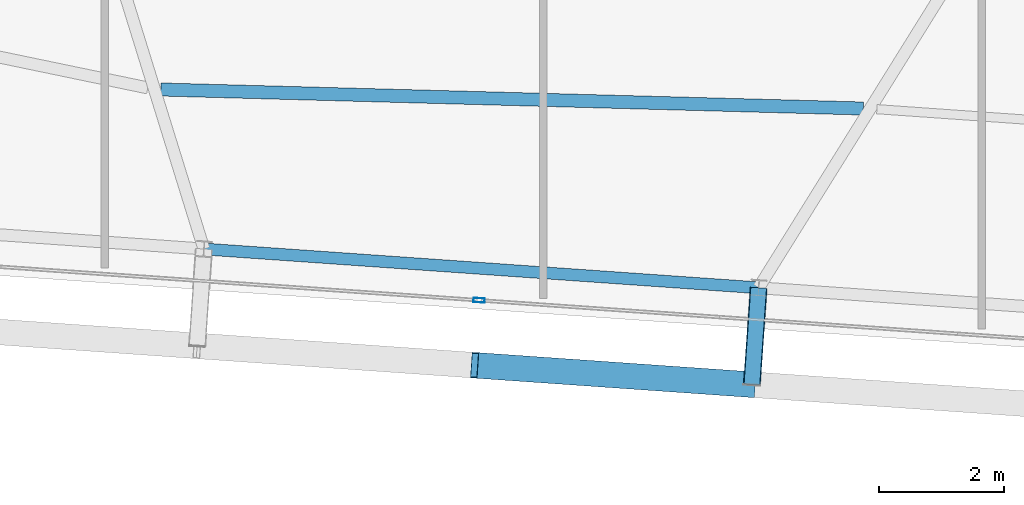
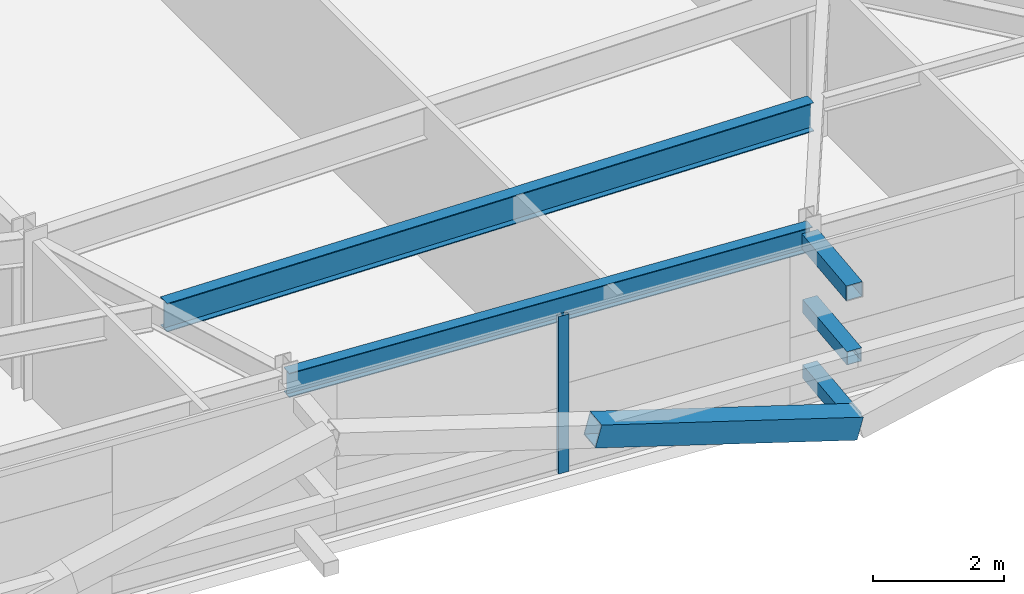
# One storey, part 9 of 39: 5 members, 2 beams, 1 element without a shape of its own.
"""IFC4 building model written with IfcOpenShell, lengths in metres."""

import ifcopenshell
import ifcopenshell.guid

model = None  # the IFC model being written
_history = None  # IfcOwnerHistory: only IFC2X3 demands one
_inside = {}  # id of a spatial element -> (the spatial element, [elements in it])
_under = {}  # id of a project, library or spatial element -> (it, [spatial elements below it])
_declared = {}  # id of a project -> (the project, [libraries it declares])
_typed = {}  # id of a type object -> (the type object, [elements of that type])
_made_of = {}  # id of a material, layer set ... -> (it, [elements and type objects made of it])


def new_model(schema):
    """Start an empty IFC model of exactly this schema.

    Asked for "IFC4X3", IfcOpenShell would pick the latest addendum, in which some entities
    have other attributes; the version numbers below select the first issue.
    IFC2X3 requires an IfcOwnerHistory on every rooted entity: one is made here for all.
    """
    global model, _history
    if schema == "IFC4X3":
        model = ifcopenshell.file(schema_version=(4, 3, 0, 0))
    else:
        model = ifcopenshell.file(schema=schema)
    _inside.clear()
    _under.clear()
    _declared.clear()
    _typed.clear()
    _made_of.clear()
    _history = None
    if model.schema == "IFC2X3":
        org = make("IfcOrganization", Name="unknown")
        user = make(
            "IfcPersonAndOrganization",
            ThePerson=make("IfcPerson", FamilyName="unknown"),
            TheOrganization=org,
        )
        app = make(
            "IfcApplication",
            ApplicationDeveloper=org,
            Version="unknown",
            ApplicationFullName="unknown",
            ApplicationIdentifier="unknown",
        )
        _history = make(
            "IfcOwnerHistory",
            OwningUser=user,
            OwningApplication=app,
            ChangeAction="ADDED",
            CreationDate=0,
        )
    return model


def make(cls, **values):
    """One entity of the class cls with the attributes given. An attribute that is None is left unset."""
    return model.create_entity(
        cls, **{name: value for name, value in values.items() if value is not None}
    )


def rooted(cls, **values):
    """An entity with a GlobalId (a new one), such as an element, a storey or a relation."""
    return make(cls, GlobalId=ifcopenshell.guid.new(), OwnerHistory=_history, **values)


def si_unit(unit_type, name, prefix=None):
    """IfcSIUnit, for example si_unit("LENGTHUNIT", "METRE", prefix="MILLI")."""
    return make("IfcSIUnit", UnitType=unit_type, Prefix=prefix, Name=name)


def assignment(units):
    """IfcUnitAssignment: the units of a project."""
    return None if units is None else make("IfcUnitAssignment", Units=units)


def point(xyz):
    """IfcCartesianPoint."""
    return None if xyz is None else make("IfcCartesianPoint", Coordinates=xyz)


def direction(xyz):
    """IfcDirection."""
    return None if xyz is None else make("IfcDirection", DirectionRatios=xyz)


def frame(location, z_axis=None, x_axis=None):
    """IfcAxis2Placement3D, a coordinate frame: its origin and axes. An axis left out is left unset."""
    return make(
        "IfcAxis2Placement3D",
        Location=point(location),
        Axis=direction(z_axis),
        RefDirection=direction(x_axis),
    )


def frame_2d(location, x_axis=None):
    """IfcAxis2Placement2D, a coordinate frame in the plane: its origin and x axis."""
    return make(
        "IfcAxis2Placement2D", Location=point(location), RefDirection=direction(x_axis)
    )


def origin():
    """The frame at (0, 0, 0) with its axes left unset."""
    return frame((0.0, 0.0, 0.0))


def origin_2d():
    """The frame at (0, 0) in the plane with its x axis left unset."""
    return frame_2d((0.0, 0.0))


def place(relative_to, where):
    """IfcLocalPlacement: puts the frame where relative to a parent placement (None: the world)."""
    return make(
        "IfcLocalPlacement", PlacementRelTo=relative_to, RelativePlacement=where
    )


def context(
    kind, dimensions, precision=None, world=None, true_north=None, identifier=None
):
    """IfcGeometricRepresentationContext, for example the 3D "Model" context."""
    return make(
        "IfcGeometricRepresentationContext",
        ContextIdentifier=identifier,
        ContextType=kind,
        CoordinateSpaceDimension=dimensions,
        Precision=precision,
        WorldCoordinateSystem=world,
        TrueNorth=true_north,
    )


def subcontext(parent, identifier, kind, view, scale=None):
    """IfcGeometricRepresentationSubContext, for example "Body" below "Model"."""
    return make(
        "IfcGeometricRepresentationSubContext",
        ContextIdentifier=identifier,
        ContextType=kind,
        ParentContext=parent,
        TargetScale=scale,
        TargetView=view,
    )


def project(units=None, contexts=None):
    """IfcProject with its units and contexts."""
    return rooted(
        "IfcProject",
        Name="project",
        RepresentationContexts=contexts,
        UnitsInContext=assignment(units),
    )


def spatial(cls, under=None, at=None, **own):
    """A site, building, storey or space (cls), placed at a placement, below another one or the project."""
    s = rooted(cls, ObjectPlacement=at, **own)
    if under is not None:
        _under.setdefault(under.id(), (under, []))[1].append(s)
    return s


def profile(cls, at=None, kind="AREA", **sizes):
    """A parametric profile (cls). Its sizes go by their IFC names, for example OverallWidth=200.0."""
    return make(cls, ProfileType=kind, Position=at, **sizes)


def hollow_rectangle(**sizes):
    """IfcRectangleHollowProfileDef."""
    return profile("IfcRectangleHollowProfileDef", **sizes)


def i_section(**sizes):
    """IfcIShapeProfileDef."""
    return profile("IfcIShapeProfileDef", **sizes)


def extrude(swept, where, along, depth):
    """IfcExtrudedAreaSolid: the profile swept, set in the frame where, extruded along a direction by depth."""
    return make(
        "IfcExtrudedAreaSolid",
        SweptArea=swept,
        Position=where,
        ExtrudedDirection=direction(along),
        Depth=depth,
    )


def shape(context_of_items, identifier, shape_type, items):
    """IfcShapeRepresentation: the items that make up one representation, for example the "Body"."""
    return make(
        "IfcShapeRepresentation",
        ContextOfItems=context_of_items,
        RepresentationIdentifier=identifier,
        RepresentationType=shape_type,
        Items=items,
    )


def source(mapping_origin, context_of_items, identifier, shape_type, items):
    """IfcRepresentationMap: a shape defined once, which mapped items show again and again."""
    return make(
        "IfcRepresentationMap",
        MappingOrigin=mapping_origin,
        MappedRepresentation=shape(context_of_items, identifier, shape_type, items),
    )


def transform(
    local_origin,
    x_axis=None,
    y_axis=None,
    z_axis=None,
    scale=None,
    scale2=None,
    scale3=None,
    uniform=True,
):
    """IfcCartesianTransformationOperator3D, or its non-uniform kind. x_axis, y_axis, z_axis: its Axis1, 2, 3."""
    if uniform:
        return make(
            "IfcCartesianTransformationOperator3D",
            Axis1=direction(x_axis),
            Axis2=direction(y_axis),
            LocalOrigin=point(local_origin),
            Scale=scale,
            Axis3=direction(z_axis),
        )
    return make(
        "IfcCartesianTransformationOperator3DnonUniform",
        Axis1=direction(x_axis),
        Axis2=direction(y_axis),
        LocalOrigin=point(local_origin),
        Scale=scale,
        Axis3=direction(z_axis),
        Scale2=scale2,
        Scale3=scale3,
    )


def mapped(mapping_source, mapping_target):
    """IfcMappedItem: shows the shape of a source again, moved by a transform."""
    return make(
        "IfcMappedItem", MappingSource=mapping_source, MappingTarget=mapping_target
    )


def material(Name=None, Category=None):
    """IfcMaterial."""
    return make("IfcMaterial", Name=Name, Category=Category)


def layer(
    of_material, thickness, ventilated=None, Name=None, Category=None, Priority=None
):
    """IfcMaterialLayer: one layer of a wall or slab, of a material (None: an air gap)."""
    return make(
        "IfcMaterialLayer",
        Material=of_material,
        LayerThickness=thickness,
        IsVentilated=ventilated,
        Name=Name,
        Category=Category,
        Priority=Priority,
    )


def layer_set(layers, Name=None):
    """IfcMaterialLayerSet."""
    return make("IfcMaterialLayerSet", MaterialLayers=layers, LayerSetName=Name)


def material_profile(
    of_material, cross_section, Name=None, Category=None, Priority=None
):
    """IfcMaterialProfile: a cross section and its material."""
    return make(
        "IfcMaterialProfile",
        Name=Name,
        Material=of_material,
        Profile=cross_section,
        Priority=Priority,
        Category=Category,
    )


def profile_set(profiles, Name=None, composite=None):
    """IfcMaterialProfileSet."""
    return make(
        "IfcMaterialProfileSet",
        Name=Name,
        MaterialProfiles=profiles,
        CompositeProfile=composite,
    )


def made_of(thing, what):
    """Note that an element or type object is made of a material, layer set ...; save() writes the relation."""
    if what is not None:
        _made_of.setdefault(what.id(), (what, []))[1].append(thing)
    return thing


def type_object(cls, material=None, **own):
    """A type object (cls), such as IfcWallType, which elements share."""
    return made_of(rooted(cls, **own), material)


def element(
    cls,
    number,
    at=None,
    inside=None,
    cuts=None,
    type_object=None,
    material=None,
    context=None,
    identifier="Body",
    shape_type=None,
    held_by="IfcProductDefinitionShape",
    body=None,
    shapes=None,
    **own,
):
    """One element of the class cls, such as IfcWall. Its Tag is "e" and its number.

    at: its placement. inside: the storey or other place that contains it. cuts: it is an
    opening in that element (IfcRelVoidsElement). A single representation is given by context,
    identifier, shape_type and body (its items); several are given by shapes. held_by: the class
    of the entity that holds the representations. save() writes the other relations.
    """
    e = rooted(cls, Tag="e%d" % number, ObjectPlacement=at, **own)
    if body is not None:
        shapes = [shape(context, identifier, shape_type, body)]
    if shapes is not None:
        e.Representation = make(held_by, Representations=shapes)
    if inside is not None:
        _inside.setdefault(inside.id(), (inside, []))[1].append(e)
    if cuts is not None:
        rooted(
            "IfcRelVoidsElement", RelatingBuildingElement=cuts, RelatedOpeningElement=e
        )
    if type_object is not None:
        _typed.setdefault(type_object.id(), (type_object, []))[1].append(e)
    return made_of(e, material)


def aggregate(whole, parts):
    """IfcRelAggregates: a whole, such as a stair, and the parts it consists of."""
    return rooted("IfcRelAggregates", RelatingObject=whole, RelatedObjects=parts)


def save(model, path):
    """Write the relations noted so far, then the file.

    IfcRelAggregates (storeys below a building ...), IfcRelContainedInSpatialStructure (elements
    in a storey), IfcRelDefinesByType, IfcRelAssociatesMaterial and IfcRelDeclares: one each for
    every whole, place, type object, material and project.
    """
    for whole, parts in _under.values():
        aggregate(whole, parts)
    for where, things in _inside.values():
        rooted(
            "IfcRelContainedInSpatialStructure",
            RelatedElements=things,
            RelatingStructure=where,
        )
    for kind, things in _typed.values():
        rooted("IfcRelDefinesByType", RelatedObjects=things, RelatingType=kind)
    for what, things in _made_of.values():
        rooted("IfcRelAssociatesMaterial", RelatedObjects=things, RelatingMaterial=what)
    for by, libraries in _declared.values():
        rooted("IfcRelDeclares", RelatingContext=by, RelatedDefinitions=libraries)
    model.write(path)


model = new_model("IFC4")

# Units and contexts
model_context = context("Model", 3, precision=1e-05, world=origin(), true_north=direction((0.0, 1.0)))
body_context = subcontext(model_context, "Body", "Model", "MODEL_VIEW")
ifc_project = project(units=[si_unit("LENGTHUNIT", "METRE"), si_unit("AREAUNIT", "SQUARE_METRE"), si_unit("VOLUMEUNIT", "CUBIC_METRE"), si_unit("PLANEANGLEUNIT", "RADIAN"), si_unit("MASSUNIT", "GRAM", prefix="KILO")], contexts=[model_context])

# Site, building, storey
site_placement = place(None, origin())
site = spatial("IfcSite", under=ifc_project, at=site_placement, CompositionType="ELEMENT")
building_placement = place(site_placement, origin())
building = spatial("IfcBuilding", under=site, at=building_placement, Name="Taldren Reach Tower", CompositionType="ELEMENT")
storey_placement = place(building_placement, frame((0.0, 0.0, 155.050048828125)))
storey = spatial("IfcBuildingStorey", under=building, at=storey_placement, Name="L47", CompositionType="ELEMENT", Elevation=155.050048828125)

# Members
ifc_material_1 = material(Name="Steel Gr 450 (C450L0)", Category="steel")
ifc_material_profile_1 = material_profile(ifc_material_1, hollow_rectangle(XDim=0.27490234375, YDim=0.27490234375, WallThickness=0.00927734375, at=origin_2d()), Name="275x275x9.3SHS")
ifc_profile_set_1 = profile_set([ifc_material_profile_1], Name="Steel Gr 450 (C450L0)")
member_type_1 = type_object("IfcMemberType", Name="MB-TIE273", PredefinedType="STRUT", material=ifc_profile_set_1)
shared_shape_1 = source(origin(), body_context, "Body", "SweptSolid", [
    extrude(hollow_rectangle(XDim=0.27490234375, YDim=0.27490234375, WallThickness=0.00927734375, at=origin_2d()), origin(), (0.0, 0.0, 1.0), 1.550048828125),
])
member_1_placement = place(storey_placement, frame((38.438720703125, 3.480224609375, 2.64990234375), z_axis=(-0.06976957191, -0.99756313426, 0.0), x_axis=(0.99756313426, -0.06976957191, 0.0)))
element("IfcMember", 1, at=member_1_placement, inside=storey, type_object=member_type_1, Name="Exoskeleton diaphragm tie strut B3-S4 L47", PredefinedType="STRUT", context=body_context, shape_type="MappedRepresentation", body=[
    mapped(shared_shape_1, transform((0.0, 0.0, 0.0), scale=1.0)),
])
ifc_material_2 = material(Name="Steel Gr 350 (C350L0)", Category="steel")
ifc_material_profile_2 = material_profile(ifc_material_2, hollow_rectangle(XDim=0.25, YDim=0.25, WallThickness=0.010009765625, at=origin_2d()), Name="250x250x10.0SHS")
ifc_profile_set_2 = profile_set([ifc_material_profile_2], Name="Steel Gr 350 (C350L0)")
member_type_2 = type_object("IfcMemberType", Name="MB-POST250", PredefinedType="POST", material=ifc_profile_set_2)
shared_shape_2 = source(origin(), body_context, "Body", "SweptSolid", [
    extrude(hollow_rectangle(XDim=0.25, YDim=0.25, WallThickness=0.010009765625, at=origin_2d()), origin(), (0.0, 0.0, 1.0), 1.550048828125),
])
for number, where, z_axis, x_axis, name in (
    (2, (38.438720703125, 3.480224609375, 0.219970703125), (-0.06976957191, -0.99756313426, 0.0), (0.99756313426, -0.06976957191, 0.0), "Exoskeleton base diaphragm tie strut B3-S4 L47"),
    (3, (38.438720703125, 3.480224609375, 1.43505859375), (-0.06976957191, -0.99756313426, 0.0), (0.99756313426, -0.06976957191, 0.0), "Exoskeleton mid-tier diaphragm tie B3-S4 L47"),
):
    element("IfcMember", number, at=place(storey_placement, frame(where, z_axis=z_axis, x_axis=x_axis)), inside=storey, type_object=member_type_2, Name=name, PredefinedType="POST", context=body_context, shape_type="MappedRepresentation", body=[
        mapped(shared_shape_2, transform((0.0, 0.0, 0.0), scale=1.0)),
    ])

# Beams
ifc_material_3 = material(Name="Steel Gr 350 (350PLUS)", Category="steel")
ifc_material_profile_3 = material_profile(ifc_material_3, i_section(OverallWidth=0.18994140625, OverallDepth=0.4541015625, WebThickness=0.008544921875, FlangeThickness=0.0126953125, at=origin_2d()), Name="460UB67.1")
ifc_profile_set_3 = profile_set([ifc_material_profile_3], Name="Steel Gr 350 (350PLUS)")
beam_type_1 = type_object("IfcBeamType", Name="SP-UB460B", PredefinedType="SPANDREL", material=ifc_profile_set_3)
shared_shape_3 = source(origin(), body_context, "Body", "SweptSolid", [
    extrude(i_section(OverallWidth=0.18994140625, OverallDepth=0.4541015625, WebThickness=0.008544921875, FlangeThickness=0.0126953125, at=origin_2d()), origin(), (0.0, 0.0, 1.0), 8.880126953125),
])
beam_1_placement = place(storey_placement, frame((29.580322265625, 4.099609375, 2.702880859375), z_axis=(0.997564479639, -0.069750333063, 0.0), x_axis=(0.069750333063, 0.997564479639, 0.0)))
element("IfcBeam", 4, at=beam_1_placement, inside=storey, type_object=beam_type_1, Name="Perimeter spandrel B3 S3-S4 L47", PredefinedType="SPANDREL", context=body_context, shape_type="MappedRepresentation", body=[
    mapped(shared_shape_3, transform((0.0, 0.0, 0.0), scale=1.0)),
])
ifc_material_profile_4 = material_profile(ifc_material_3, i_section(OverallWidth=0.208984375, OverallDepth=0.532958984375, WebThickness=0.01025390625, FlangeThickness=0.015625, at=origin_2d()), Name="530UB92.4")
ifc_profile_set_4 = profile_set([ifc_material_profile_4], Name="Steel Gr 350 (350PLUS)")
beam_type_2 = type_object("IfcBeamType", Name="BM-UB530A", PredefinedType="BEAM", material=ifc_profile_set_4)
shared_shape_4 = source(origin(), body_context, "Body", "SweptSolid", [
    extrude(i_section(OverallWidth=0.208984375, OverallDepth=0.532958984375, WebThickness=0.01025390625, FlangeThickness=0.015625, at=origin_2d()), origin(), (0.0, 0.0, 1.0), 11.221923828125),
])
beam_2_placement = place(storey_placement, frame((28.890869140625, 6.64697265625, 2.663330078125), z_axis=(0.999633109536, -0.027085906272, 0.0), x_axis=(0.027085906272, 0.999633109536, 0.0)))
element("IfcBeam", 5, at=beam_2_placement, inside=storey, type_object=beam_type_2, Name="Secondary floor beam B3 J3 L47", PredefinedType="BEAM", context=body_context, shape_type="MappedRepresentation", body=[
    mapped(shared_shape_4, transform((0.0, 0.0, 0.0), scale=1.0)),
])

# Member
ifc_material_profile_5 = material_profile(ifc_material_1, hollow_rectangle(XDim=0.409912109375, YDim=0.409912109375, WallThickness=0.01611328125, at=origin_2d()), Name="410x410x16.0SHS")
ifc_profile_set_5 = profile_set([ifc_material_profile_5], Name="Steel Gr 450 (C450L0)")
member_type_3 = type_object("IfcMemberType", Name="MB-EXO406", PredefinedType="BRACE", material=ifc_profile_set_5)
shared_shape_5 = source(origin(), body_context, "Body", "SweptSolid", [
    extrude(hollow_rectangle(XDim=0.409912109375, YDim=0.409912109375, WallThickness=0.01611328125, at=origin_2d()), origin(), (0.0, 0.0, 1.0), 4.603271484375),
])
member_2_placement = place(storey_placement, frame((38.33056640625, 1.933837890625, 0.219970703125), z_axis=(-0.962182351074, 0.067302910567, 0.263961060594), x_axis=(-0.06977769246, -0.997562566276, 0.0)))
element("IfcMember", 6, at=member_2_placement, inside=storey, type_object=member_type_3, Name="Exoskeleton Diagrid Brace B3-S3 L47", PredefinedType="BRACE", context=body_context, shape_type="MappedRepresentation", body=[
    mapped(shared_shape_5, transform((0.0, 0.0, 0.0), scale=1.0)),
])

# Curtain wall, member
ifc_material_4 = material(Name="Aluminium and Low-E Glass Unitised System", Category="aluminium")
ifc_layer = layer(ifc_material_4, 0.159912109375)
ifc_layer_set = layer_set([ifc_layer], Name="Aluminium and Low-E Glass Unitised System")
curtain_wall_type = type_object("IfcCurtainWallType", Name="CW-SYS-4", PredefinedType="NOTDEFINED", material=ifc_layer_set)
curtain_wall_placement = place(storey_placement, origin())
curtain_wall = element("IfcCurtainWall", 7, at=curtain_wall_placement, inside=storey, type_object=curtain_wall_type, Name="Unitised curtain wall CW-L47-S", PredefinedType="NOTDEFINED")
ifc_material_5 = material(Name="Anodised Aluminium 6063-T6", Category="aluminium")
ifc_material_profile_6 = material_profile(ifc_material_5, hollow_rectangle(XDim=0.070068359375, YDim=0.179931640625, WallThickness=0.00390625, at=origin_2d()), Name="ALU-180x70x4RHS")
ifc_profile_set_6 = profile_set([ifc_material_profile_6], Name="Anodised Aluminium 6063-T6")
member_type_4 = type_object("IfcMemberType", Name="CW-MUL-180", PredefinedType="MULLION", material=ifc_profile_set_6)
shared_shape_6 = source(origin(), body_context, "Body", "SweptSolid", [
    extrude(hollow_rectangle(XDim=0.070068359375, YDim=0.179931640625, WallThickness=0.00390625, at=origin_2d()), origin(), (0.0, 0.0, 1.0), 2.929931640625),
])
member_3_placement = place(storey_placement, frame((33.973876953125, 3.281005859375, 0.0), z_axis=(0.0, 0.0, 1.0), x_axis=(0.06975651593, 0.99756404731, 0.0)))
member_3 = element("IfcMember", 8, at=member_3_placement, type_object=member_type_4, Name="CW-4 mullion 3", PredefinedType="MULLION", context=body_context, shape_type="MappedRepresentation", body=[
    mapped(shared_shape_6, transform((0.0, 0.0, 0.0), scale=1.0)),
])
aggregate(curtain_wall, [member_3])

save(model, "model.ifc")
